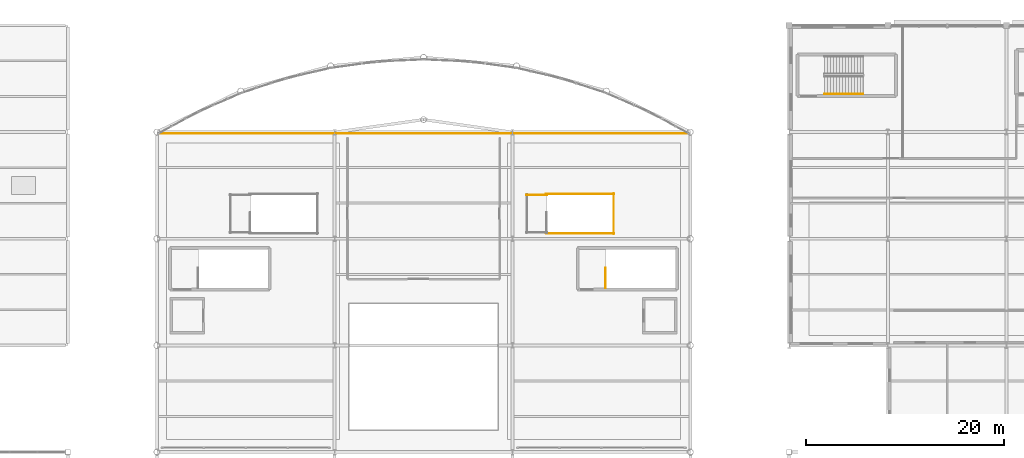
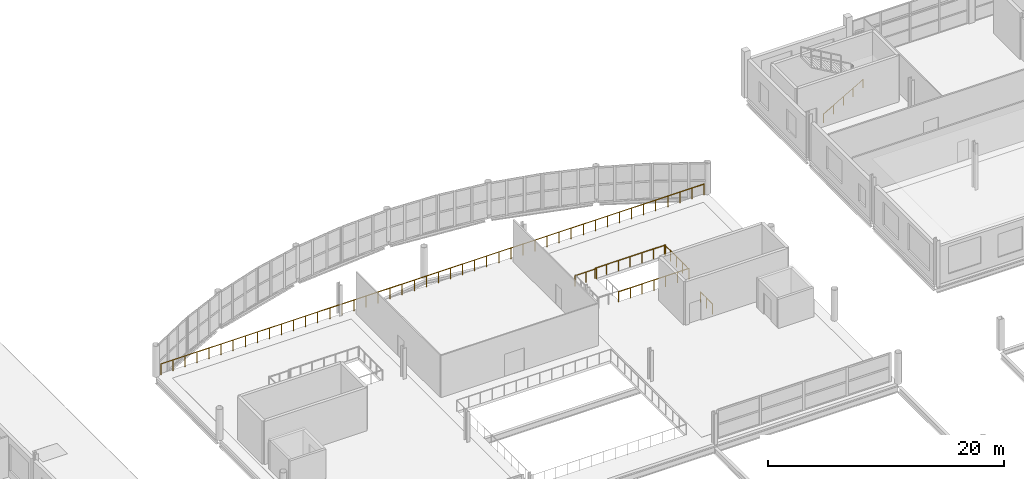
# One storey, part 129 of 134: 7 railings.
"""IFC4 building model written with IfcOpenShell, lengths in metres."""

import ifcopenshell
import ifcopenshell.guid

model = None  # the IFC model being written
_history = None  # IfcOwnerHistory: only IFC2X3 demands one
_inside = {}  # id of a spatial element -> (the spatial element, [elements in it])
_under = {}  # id of a project, library or spatial element -> (it, [spatial elements below it])
_declared = {}  # id of a project -> (the project, [libraries it declares])
_typed = {}  # id of a type object -> (the type object, [elements of that type])
_made_of = {}  # id of a material, layer set ... -> (it, [elements and type objects made of it])


def new_model(schema):
    """Start an empty IFC model of exactly this schema.

    Asked for "IFC4X3", IfcOpenShell would pick the latest addendum, in which some entities
    have other attributes; the version numbers below select the first issue.
    IFC2X3 requires an IfcOwnerHistory on every rooted entity: one is made here for all.
    """
    global model, _history
    if schema == "IFC4X3":
        model = ifcopenshell.file(schema_version=(4, 3, 0, 0))
    else:
        model = ifcopenshell.file(schema=schema)
    _inside.clear()
    _under.clear()
    _declared.clear()
    _typed.clear()
    _made_of.clear()
    _history = None
    if model.schema == "IFC2X3":
        org = make("IfcOrganization", Name="unknown")
        user = make(
            "IfcPersonAndOrganization",
            ThePerson=make("IfcPerson", FamilyName="unknown"),
            TheOrganization=org,
        )
        app = make(
            "IfcApplication",
            ApplicationDeveloper=org,
            Version="unknown",
            ApplicationFullName="unknown",
            ApplicationIdentifier="unknown",
        )
        _history = make(
            "IfcOwnerHistory",
            OwningUser=user,
            OwningApplication=app,
            ChangeAction="ADDED",
            CreationDate=0,
        )
    return model


def make(cls, **values):
    """One entity of the class cls with the attributes given. An attribute that is None is left unset."""
    return model.create_entity(
        cls, **{name: value for name, value in values.items() if value is not None}
    )


def rooted(cls, **values):
    """An entity with a GlobalId (a new one), such as an element, a storey or a relation."""
    return make(cls, GlobalId=ifcopenshell.guid.new(), OwnerHistory=_history, **values)


def si_unit(unit_type, name, prefix=None):
    """IfcSIUnit, for example si_unit("LENGTHUNIT", "METRE", prefix="MILLI")."""
    return make("IfcSIUnit", UnitType=unit_type, Prefix=prefix, Name=name)


def assignment(units):
    """IfcUnitAssignment: the units of a project."""
    return None if units is None else make("IfcUnitAssignment", Units=units)


def point(xyz):
    """IfcCartesianPoint."""
    return None if xyz is None else make("IfcCartesianPoint", Coordinates=xyz)


def direction(xyz):
    """IfcDirection."""
    return None if xyz is None else make("IfcDirection", DirectionRatios=xyz)


def frame(location, z_axis=None, x_axis=None):
    """IfcAxis2Placement3D, a coordinate frame: its origin and axes. An axis left out is left unset."""
    return make(
        "IfcAxis2Placement3D",
        Location=point(location),
        Axis=direction(z_axis),
        RefDirection=direction(x_axis),
    )


def frame_2d(location, x_axis=None):
    """IfcAxis2Placement2D, a coordinate frame in the plane: its origin and x axis."""
    return make(
        "IfcAxis2Placement2D", Location=point(location), RefDirection=direction(x_axis)
    )


def origin():
    """The frame at (0, 0, 0) with its axes left unset."""
    return frame((0.0, 0.0, 0.0))


def origin_2d():
    """The frame at (0, 0) in the plane with its x axis left unset."""
    return frame_2d((0.0, 0.0))


def place(relative_to, where):
    """IfcLocalPlacement: puts the frame where relative to a parent placement (None: the world)."""
    return make(
        "IfcLocalPlacement", PlacementRelTo=relative_to, RelativePlacement=where
    )


def context(
    kind, dimensions, precision=None, world=None, true_north=None, identifier=None
):
    """IfcGeometricRepresentationContext, for example the 3D "Model" context."""
    return make(
        "IfcGeometricRepresentationContext",
        ContextIdentifier=identifier,
        ContextType=kind,
        CoordinateSpaceDimension=dimensions,
        Precision=precision,
        WorldCoordinateSystem=world,
        TrueNorth=true_north,
    )


def subcontext(parent, identifier, kind, view, scale=None):
    """IfcGeometricRepresentationSubContext, for example "Body" below "Model"."""
    return make(
        "IfcGeometricRepresentationSubContext",
        ContextIdentifier=identifier,
        ContextType=kind,
        ParentContext=parent,
        TargetScale=scale,
        TargetView=view,
    )


def project(units=None, contexts=None):
    """IfcProject with its units and contexts."""
    return rooted(
        "IfcProject",
        Name="project",
        RepresentationContexts=contexts,
        UnitsInContext=assignment(units),
    )


def spatial(cls, under=None, at=None, **own):
    """A site, building, storey or space (cls), placed at a placement, below another one or the project."""
    s = rooted(cls, ObjectPlacement=at, **own)
    if under is not None:
        _under.setdefault(under.id(), (under, []))[1].append(s)
    return s


def profile(cls, at=None, kind="AREA", **sizes):
    """A parametric profile (cls). Its sizes go by their IFC names, for example OverallWidth=200.0."""
    return make(cls, ProfileType=kind, Position=at, **sizes)


def circle(**sizes):
    """IfcCircleProfileDef."""
    return profile("IfcCircleProfileDef", **sizes)


def extrude(swept, where, along, depth):
    """IfcExtrudedAreaSolid: the profile swept, set in the frame where, extruded along a direction by depth."""
    return make(
        "IfcExtrudedAreaSolid",
        SweptArea=swept,
        Position=where,
        ExtrudedDirection=direction(along),
        Depth=depth,
    )


def shape(context_of_items, identifier, shape_type, items):
    """IfcShapeRepresentation: the items that make up one representation, for example the "Body"."""
    return make(
        "IfcShapeRepresentation",
        ContextOfItems=context_of_items,
        RepresentationIdentifier=identifier,
        RepresentationType=shape_type,
        Items=items,
    )


def material(Name=None, Category=None):
    """IfcMaterial."""
    return make("IfcMaterial", Name=Name, Category=Category)


def made_of(thing, what):
    """Note that an element or type object is made of a material, layer set ...; save() writes the relation."""
    if what is not None:
        _made_of.setdefault(what.id(), (what, []))[1].append(thing)
    return thing


def type_object(cls, material=None, **own):
    """A type object (cls), such as IfcWallType, which elements share."""
    return made_of(rooted(cls, **own), material)


def element(
    cls,
    number,
    at=None,
    inside=None,
    cuts=None,
    type_object=None,
    material=None,
    context=None,
    identifier="Body",
    shape_type=None,
    held_by="IfcProductDefinitionShape",
    body=None,
    shapes=None,
    **own,
):
    """One element of the class cls, such as IfcWall. Its Tag is "e" and its number.

    at: its placement. inside: the storey or other place that contains it. cuts: it is an
    opening in that element (IfcRelVoidsElement). A single representation is given by context,
    identifier, shape_type and body (its items); several are given by shapes. held_by: the class
    of the entity that holds the representations. save() writes the other relations.
    """
    e = rooted(cls, Tag="e%d" % number, ObjectPlacement=at, **own)
    if body is not None:
        shapes = [shape(context, identifier, shape_type, body)]
    if shapes is not None:
        e.Representation = make(held_by, Representations=shapes)
    if inside is not None:
        _inside.setdefault(inside.id(), (inside, []))[1].append(e)
    if cuts is not None:
        rooted(
            "IfcRelVoidsElement", RelatingBuildingElement=cuts, RelatedOpeningElement=e
        )
    if type_object is not None:
        _typed.setdefault(type_object.id(), (type_object, []))[1].append(e)
    return made_of(e, material)


def aggregate(whole, parts):
    """IfcRelAggregates: a whole, such as a stair, and the parts it consists of."""
    return rooted("IfcRelAggregates", RelatingObject=whole, RelatedObjects=parts)


def save(model, path):
    """Write the relations noted so far, then the file.

    IfcRelAggregates (storeys below a building ...), IfcRelContainedInSpatialStructure (elements
    in a storey), IfcRelDefinesByType, IfcRelAssociatesMaterial and IfcRelDeclares: one each for
    every whole, place, type object, material and project.
    """
    for whole, parts in _under.values():
        aggregate(whole, parts)
    for where, things in _inside.values():
        rooted(
            "IfcRelContainedInSpatialStructure",
            RelatedElements=things,
            RelatingStructure=where,
        )
    for kind, things in _typed.values():
        rooted("IfcRelDefinesByType", RelatedObjects=things, RelatingType=kind)
    for what, things in _made_of.values():
        rooted("IfcRelAssociatesMaterial", RelatedObjects=things, RelatingMaterial=what)
    for by, libraries in _declared.values():
        rooted("IfcRelDeclares", RelatingContext=by, RelatedDefinitions=libraries)
    model.write(path)


model = new_model("IFC4")

# Units and contexts
model_context = context("Model", 3, precision=1e-05, world=origin(), true_north=direction((0.0, 1.0)))
body_context = subcontext(model_context, "Body", "Model", "MODEL_VIEW")
ifc_project = project(units=[si_unit("LENGTHUNIT", "METRE"), si_unit("AREAUNIT", "SQUARE_METRE"), si_unit("VOLUMEUNIT", "CUBIC_METRE"), si_unit("PLANEANGLEUNIT", "RADIAN"), si_unit("MASSUNIT", "GRAM", prefix="KILO")], contexts=[model_context])

# Site, building, storey
site_placement = place(None, origin())
site = spatial("IfcSite", under=ifc_project, at=site_placement, CompositionType="ELEMENT")
building_placement = place(site_placement, origin())
building = spatial("IfcBuilding", under=site, at=building_placement, Name="Tamarisk Ironworks Central Station", CompositionType="ELEMENT")
storey_placement = place(building_placement, frame((0.0, 0.0, 12.60009765625)))
storey = spatial("IfcBuildingStorey", under=building, at=storey_placement, Name="L02", CompositionType="ELEMENT", Elevation=12.60009765625)

# Railings
ifc_material_1 = material(Name="Laminated solar-control low-E glass", Category="glass")
railing_type_1 = type_object("IfcRailingType", Name="RL-GUARD-GLASS", PredefinedType="BALUSTRADE", material=ifc_material_1)
for number, where, name in (
    (1, (93.39990234375, 101.35009765625, 0.0), "L02 ST-MZ2 top well guard 2"),
    (2, (93.39990234375, 105.35009765625, 0.0), "L02 ST-MZ2 top well guard 3"),
):
    element("IfcRailing", number, at=place(storey_placement, frame(where)), inside=storey, type_object=railing_type_1, Name=name, PredefinedType="BALUSTRADE", context=body_context, shape_type="SweptSolid", body=[
        extrude(circle(Radius=0.02392578125, at=origin_2d()), frame((0.0, 0.0, 1.076171875), z_axis=(1.0, 0.0, 0.0), x_axis=(0.0, 1.0, 0.0)), (0.0, 0.0, 1.0), 6.900146484375),
        extrude(circle(Radius=0.02099609375, at=origin_2d()), origin(), (0.0, 0.0, 1.0), 1.052001953125),
        extrude(circle(Radius=0.02099609375, at=origin_2d()), frame((1.14990234375, 0.0, 0.0)), (0.0, 0.0, 1.0), 1.052001953125),
        extrude(circle(Radius=0.02099609375, at=origin_2d()), frame((2.300048828125, 0.0, 0.0)), (0.0, 0.0, 1.0), 1.052001953125),
        extrude(circle(Radius=0.02099609375, at=origin_2d()), frame((3.4501953125, 0.0, 0.0)), (0.0, 0.0, 1.0), 1.052001953125),
        extrude(circle(Radius=0.02099609375, at=origin_2d()), frame((4.60009765625, 0.0, 0.0)), (0.0, 0.0, 1.0), 1.052001953125),
        extrude(circle(Radius=0.02099609375, at=origin_2d()), frame((5.75, 0.0, 0.0)), (0.0, 0.0, 1.0), 1.052001953125),
        extrude(circle(Radius=0.02099609375, at=origin_2d()), frame((6.900146484375, 0.0, 0.0)), (0.0, 0.0, 1.0), 1.052001953125),
    ])
railing_1_placement = place(storey_placement, frame((100.25, 101.300048828125, 0.0)))
element("IfcRailing", 3, at=railing_1_placement, inside=storey, type_object=railing_type_1, Name="L02 ST-MZ2 top well guard 4", PredefinedType="BALUSTRADE", context=body_context, shape_type="SweptSolid", body=[
    extrude(circle(Radius=0.02392578125, at=origin_2d()), frame((0.0, 0.0, 1.076171875), z_axis=(0.0, 1.0, 0.0), x_axis=(-1.0, 0.0, 0.0)), (0.0, 0.0, 1.0), 4.099853515625),
    extrude(circle(Radius=0.02099609375, at=origin_2d()), origin(), (0.0, 0.0, 1.0), 1.052001953125),
    extrude(circle(Radius=0.02099609375, at=origin_2d()), frame((0.0, 1.02490234375, 0.0)), (0.0, 0.0, 1.0), 1.052001953125),
    extrude(circle(Radius=0.02099609375, at=origin_2d()), frame((0.0, 2.0498046875, 0.0)), (0.0, 0.0, 1.0), 1.052001953125),
    extrude(circle(Radius=0.02099609375, at=origin_2d()), frame((0.0, 3.074951171875, 0.0)), (0.0, 0.0, 1.0), 1.052001953125),
    extrude(circle(Radius=0.02099609375, at=origin_2d()), frame((0.0, 4.099853515625, 0.0)), (0.0, 0.0, 1.0), 1.052001953125),
])
railing_2_placement = place(storey_placement, frame((91.39990234375, 105.25, 0.0)))
element("IfcRailing", 4, at=railing_2_placement, inside=storey, type_object=railing_type_1, Name="L02 ST-MZ2 top well guard 6", PredefinedType="BALUSTRADE", context=body_context, shape_type="SweptSolid", body=[
    extrude(circle(Radius=0.02392578125, at=origin_2d()), frame((0.0, 0.0, 1.076171875), z_axis=(1.0, 0.0, 0.0), x_axis=(0.0, 1.0, 0.0)), (0.0, 0.0, 1.0), 2.10009765625),
    extrude(circle(Radius=0.02099609375, at=origin_2d()), origin(), (0.0, 0.0, 1.0), 1.052001953125),
    extrude(circle(Radius=0.02099609375, at=origin_2d()), frame((1.050048828125, 0.0, 0.0)), (0.0, 0.0, 1.0), 1.052001953125),
    extrude(circle(Radius=0.02099609375, at=origin_2d()), frame((2.10009765625, 0.0, 0.0)), (0.0, 0.0, 1.0), 1.052001953125),
])
railing_3_placement = place(storey_placement, frame((54.39990234375, 111.449951171875, 0.0)))
element("IfcRailing", 5, at=railing_3_placement, inside=storey, type_object=railing_type_1, Name="L02 mezzanine north ticket-hall overlook balustrade", PredefinedType="BALUSTRADE", context=body_context, shape_type="SweptSolid", body=[
    extrude(circle(Radius=0.02392578125, at=origin_2d()), frame((0.0, 0.0, 1.1259765625), z_axis=(1.0, 0.0, 0.0), x_axis=(0.0, 1.0, 0.0)), (0.0, 0.0, 1.0), 53.2001953125),
    extrude(circle(Radius=0.02099609375, at=origin_2d()), origin(), (0.0, 0.0, 1.0), 1.101806640625),
    extrude(circle(Radius=0.02099609375, at=origin_2d()), frame((1.18212890625, 0.0, 0.0)), (0.0, 0.0, 1.0), 1.101806640625),
    extrude(circle(Radius=0.02099609375, at=origin_2d()), frame((2.364501953125, 0.0, 0.0)), (0.0, 0.0, 1.0), 1.101806640625),
    extrude(circle(Radius=0.02099609375, at=origin_2d()), frame((3.546630859375, 0.0, 0.0)), (0.0, 0.0, 1.0), 1.101806640625),
    extrude(circle(Radius=0.02099609375, at=origin_2d()), frame((4.72900390625, 0.0, 0.0)), (0.0, 0.0, 1.0), 1.101806640625),
    extrude(circle(Radius=0.02099609375, at=origin_2d()), frame((5.9111328125, 0.0, 0.0)), (0.0, 0.0, 1.0), 1.101806640625),
    extrude(circle(Radius=0.02099609375, at=origin_2d()), frame((7.09326171875, 0.0, 0.0)), (0.0, 0.0, 1.0), 1.101806640625),
    extrude(circle(Radius=0.02099609375, at=origin_2d()), frame((8.275634765625, 0.0, 0.0)), (0.0, 0.0, 1.0), 1.101806640625),
    extrude(circle(Radius=0.02099609375, at=origin_2d()), frame((9.457763671875, 0.0, 0.0)), (0.0, 0.0, 1.0), 1.101806640625),
    extrude(circle(Radius=0.02099609375, at=origin_2d()), frame((10.64013671875, 0.0, 0.0)), (0.0, 0.0, 1.0), 1.101806640625),
    extrude(circle(Radius=0.02099609375, at=origin_2d()), frame((11.822265625, 0.0, 0.0)), (0.0, 0.0, 1.0), 1.101806640625),
    extrude(circle(Radius=0.02099609375, at=origin_2d()), frame((13.00439453125, 0.0, 0.0)), (0.0, 0.0, 1.0), 1.101806640625),
    extrude(circle(Radius=0.02099609375, at=origin_2d()), frame((14.186767578125, 0.0, 0.0)), (0.0, 0.0, 1.0), 1.101806640625),
    extrude(circle(Radius=0.02099609375, at=origin_2d()), frame((15.368896484375, 0.0, 0.0)), (0.0, 0.0, 1.0), 1.101806640625),
    extrude(circle(Radius=0.02099609375, at=origin_2d()), frame((16.55126953125, 0.0, 0.0)), (0.0, 0.0, 1.0), 1.101806640625),
    extrude(circle(Radius=0.02099609375, at=origin_2d()), frame((17.7333984375, 0.0, 0.0)), (0.0, 0.0, 1.0), 1.101806640625),
    extrude(circle(Radius=0.02099609375, at=origin_2d()), frame((18.91552734375, 0.0, 0.0)), (0.0, 0.0, 1.0), 1.101806640625),
    extrude(circle(Radius=0.02099609375, at=origin_2d()), frame((20.097900390625, 0.0, 0.0)), (0.0, 0.0, 1.0), 1.101806640625),
    extrude(circle(Radius=0.02099609375, at=origin_2d()), frame((21.280029296875, 0.0, 0.0)), (0.0, 0.0, 1.0), 1.101806640625),
    extrude(circle(Radius=0.02099609375, at=origin_2d()), frame((22.46240234375, 0.0, 0.0)), (0.0, 0.0, 1.0), 1.101806640625),
    extrude(circle(Radius=0.02099609375, at=origin_2d()), frame((23.64453125, 0.0, 0.0)), (0.0, 0.0, 1.0), 1.101806640625),
    extrude(circle(Radius=0.02099609375, at=origin_2d()), frame((24.82666015625, 0.0, 0.0)), (0.0, 0.0, 1.0), 1.101806640625),
    extrude(circle(Radius=0.02099609375, at=origin_2d()), frame((26.009033203125, 0.0, 0.0)), (0.0, 0.0, 1.0), 1.101806640625),
    extrude(circle(Radius=0.02099609375, at=origin_2d()), frame((27.191162109375, 0.0, 0.0)), (0.0, 0.0, 1.0), 1.101806640625),
    extrude(circle(Radius=0.02099609375, at=origin_2d()), frame((28.37353515625, 0.0, 0.0)), (0.0, 0.0, 1.0), 1.101806640625),
    extrude(circle(Radius=0.02099609375, at=origin_2d()), frame((29.5556640625, 0.0, 0.0)), (0.0, 0.0, 1.0), 1.101806640625),
    extrude(circle(Radius=0.02099609375, at=origin_2d()), frame((30.73779296875, 0.0, 0.0)), (0.0, 0.0, 1.0), 1.101806640625),
    extrude(circle(Radius=0.02099609375, at=origin_2d()), frame((31.920166015625, 0.0, 0.0)), (0.0, 0.0, 1.0), 1.101806640625),
    extrude(circle(Radius=0.02099609375, at=origin_2d()), frame((33.102294921875, 0.0, 0.0)), (0.0, 0.0, 1.0), 1.101806640625),
    extrude(circle(Radius=0.02099609375, at=origin_2d()), frame((34.28466796875, 0.0, 0.0)), (0.0, 0.0, 1.0), 1.101806640625),
    extrude(circle(Radius=0.02099609375, at=origin_2d()), frame((35.466796875, 0.0, 0.0)), (0.0, 0.0, 1.0), 1.101806640625),
    extrude(circle(Radius=0.02099609375, at=origin_2d()), frame((36.64892578125, 0.0, 0.0)), (0.0, 0.0, 1.0), 1.101806640625),
    extrude(circle(Radius=0.02099609375, at=origin_2d()), frame((37.831298828125, 0.0, 0.0)), (0.0, 0.0, 1.0), 1.101806640625),
    extrude(circle(Radius=0.02099609375, at=origin_2d()), frame((39.013427734375, 0.0, 0.0)), (0.0, 0.0, 1.0), 1.101806640625),
    extrude(circle(Radius=0.02099609375, at=origin_2d()), frame((40.19580078125, 0.0, 0.0)), (0.0, 0.0, 1.0), 1.101806640625),
    extrude(circle(Radius=0.02099609375, at=origin_2d()), frame((41.3779296875, 0.0, 0.0)), (0.0, 0.0, 1.0), 1.101806640625),
    extrude(circle(Radius=0.02099609375, at=origin_2d()), frame((42.56005859375, 0.0, 0.0)), (0.0, 0.0, 1.0), 1.101806640625),
    extrude(circle(Radius=0.02099609375, at=origin_2d()), frame((43.742431640625, 0.0, 0.0)), (0.0, 0.0, 1.0), 1.101806640625),
    extrude(circle(Radius=0.02099609375, at=origin_2d()), frame((44.924560546875, 0.0, 0.0)), (0.0, 0.0, 1.0), 1.101806640625),
    extrude(circle(Radius=0.02099609375, at=origin_2d()), frame((46.10693359375, 0.0, 0.0)), (0.0, 0.0, 1.0), 1.101806640625),
    extrude(circle(Radius=0.02099609375, at=origin_2d()), frame((47.2890625, 0.0, 0.0)), (0.0, 0.0, 1.0), 1.101806640625),
    extrude(circle(Radius=0.02099609375, at=origin_2d()), frame((48.47119140625, 0.0, 0.0)), (0.0, 0.0, 1.0), 1.101806640625),
    extrude(circle(Radius=0.02099609375, at=origin_2d()), frame((49.653564453125, 0.0, 0.0)), (0.0, 0.0, 1.0), 1.101806640625),
    extrude(circle(Radius=0.02099609375, at=origin_2d()), frame((50.835693359375, 0.0, 0.0)), (0.0, 0.0, 1.0), 1.101806640625),
    extrude(circle(Radius=0.02099609375, at=origin_2d()), frame((52.01806640625, 0.0, 0.0)), (0.0, 0.0, 1.0), 1.101806640625),
    extrude(circle(Radius=0.02099609375, at=origin_2d()), frame((53.2001953125, 0.0, 0.0)), (0.0, 0.0, 1.0), 1.101806640625),
])
ifc_material_2 = material(Name="Brushed stainless steel AISI 316", Category="steel")
railing_type_2 = type_object("IfcRailingType", Name="RL-GUARD-INT", PredefinedType="BALUSTRADE", material=ifc_material_2)
railing_4_placement = place(storey_placement, frame((99.39990234375, 95.800048828125, 0.0)))
element("IfcRailing", 6, at=railing_4_placement, inside=storey, type_object=railing_type_2, Name="L02 ST-C4 top well guard 1", PredefinedType="BALUSTRADE", context=body_context, shape_type="SweptSolid", body=[
    extrude(circle(Radius=0.02392578125, at=origin_2d()), frame((0.0, 0.0, 1.076171875), z_axis=(0.0, 1.0, 0.0), x_axis=(-1.0, 0.0, 0.0)), (0.0, 0.0, 1.0), 2.050048828125),
    extrude(circle(Radius=0.02099609375, at=origin_2d()), origin(), (0.0, 0.0, 1.0), 1.052001953125),
    extrude(circle(Radius=0.02099609375, at=origin_2d()), frame((0.0, 1.02490234375, 0.0)), (0.0, 0.0, 1.0), 1.052001953125),
    extrude(circle(Radius=0.02099609375, at=origin_2d()), frame((0.0, 2.050048828125, 0.0)), (0.0, 0.0, 1.0), 1.052001953125),
])
railing_type_3 = type_object("IfcRailingType", Name="RL-HAND", PredefinedType="HANDRAIL", material=ifc_material_2)
railing_5_placement = place(storey_placement, frame((121.60009765625, 115.449951171875, 0.17138671875)))
element("IfcRailing", 7, at=railing_5_placement, inside=storey, type_object=railing_type_3, Name="L02 ST-C5 stair handrail 1", PredefinedType="HANDRAIL", context=body_context, shape_type="SweptSolid", body=[
    extrude(circle(Radius=0.02392578125, at=origin_2d()), frame((0.0, 0.0, 0.8759765625), z_axis=(0.868243142124, 0.0, 0.496138938357), x_axis=(0.0, 1.0, 0.0)), (0.0, 0.0, 1.0), 4.49169921875),
    extrude(circle(Radius=0.02099609375, at=origin_2d()), origin(), (0.0, 0.0, 1.0), 0.851806640625),
    extrude(circle(Radius=0.02099609375, at=origin_2d()), frame((0.97509765625, 0.0, 0.55712890625)), (0.0, 0.0, 1.0), 0.851806640625),
    extrude(circle(Radius=0.02099609375, at=origin_2d()), frame((1.949951171875, 0.0, 1.1142578125)), (0.0, 0.0, 1.0), 0.851806640625),
    extrude(circle(Radius=0.02099609375, at=origin_2d()), frame((2.9248046875, 0.0, 1.67138671875)), (0.0, 0.0, 1.0), 0.851806640625),
    extrude(circle(Radius=0.02099609375, at=origin_2d()), frame((3.89990234375, 0.0, 2.228515625)), (0.0, 0.0, 1.0), 0.851806640625),
])

save(model, "model.ifc")
